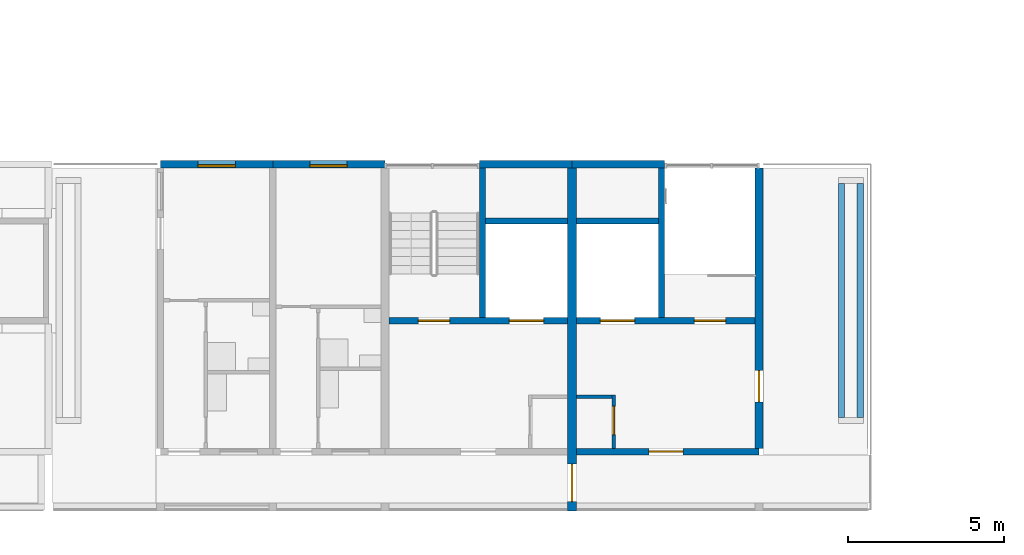
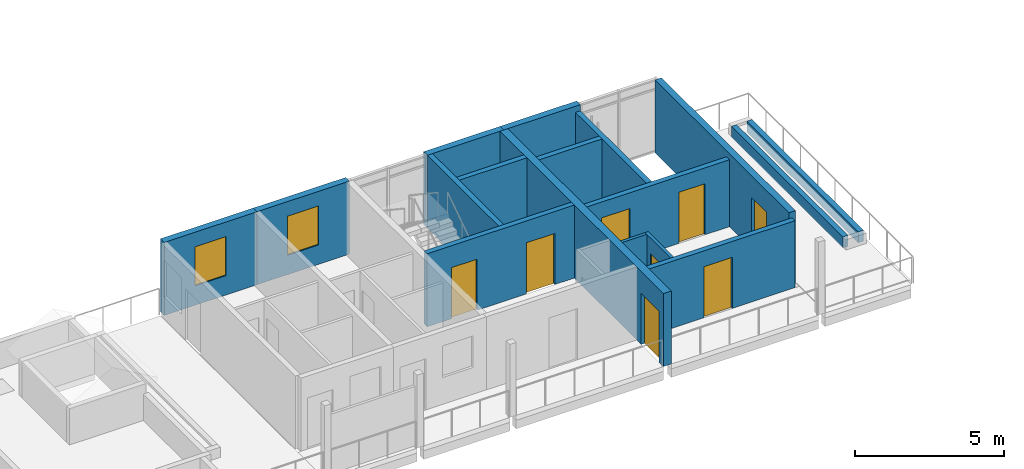
# One storey, part 21 of 41: 17 walls, 8 doors, 2 windows, 10 openings.
"""IFC4 building model written with IfcOpenShell, lengths in metres."""

from ifc_helpers import new_model, si_unit, direction, frame, frame_2d, origin, place, context, subcontext, project, spatial, rectangle, extrude, material, layer, layer_set, type_object, element, fill, save


model = new_model("IFC4")

# Units and contexts
model_context = context("Model", 3, precision=1e-05, world=origin(), true_north=direction((0.0, 1.0)))
body_context = subcontext(model_context, "Body", "Model", "MODEL_VIEW")
ifc_project = project(units=[si_unit("LENGTHUNIT", "METRE"), si_unit("AREAUNIT", "SQUARE_METRE"), si_unit("VOLUMEUNIT", "CUBIC_METRE"), si_unit("PLANEANGLEUNIT", "RADIAN"), si_unit("MASSUNIT", "GRAM", prefix="KILO")], contexts=[model_context])

# Site, building, storey
site_placement = place(None, origin())
site = spatial("IfcSite", under=ifc_project, at=site_placement, CompositionType="ELEMENT")
building_placement = place(site_placement, origin())
building = spatial("IfcBuilding", under=site, at=building_placement, Name="Ridgestep Commons", CompositionType="ELEMENT")
storey_placement = place(building_placement, frame((0.0, 0.0, 39.0)))
storey = spatial("IfcBuildingStorey", under=building, at=storey_placement, Name="L13", CompositionType="ELEMENT", Elevation=39.0)

# Wall, opening, door
ifc_material_1 = material(Name="Concrete C30/37", Category="concrete")
ifc_layer_1 = layer(ifc_material_1, 0.199951171875)
ifc_layer_set_1 = layer_set([ifc_layer_1], Name="Core south wall 200")
wall_type_1 = type_object("IfcWallType", Name="Core south wall 200", PredefinedType="SHEAR", material=ifc_layer_set_1)
wall_1_placement = place(storey_placement, frame((96.14990234375, 13.64990234375, 0.0), z_axis=(0.0, 0.0, 1.0), x_axis=(1.0, 0.0, 0.0)))
wall_1 = element("IfcWall", 1, at=wall_1_placement, inside=storey, type_object=wall_type_1, Name="Core south wall A6C L13", PredefinedType="SHEAR", context=body_context, shape_type="SweptSolid", body=[
    extrude(rectangle(XDim=5.85009765625, YDim=0.199951171875, at=frame_2d((2.925048828125, 0.0))), origin(), (0.0, 0.0, 1.0), 2.75),
])
opening_1_placement = place(wall_1_placement, frame((2.3125, 0.0, 0.0)))
opening_1 = element("IfcOpeningElement", 2, at=opening_1_placement, cuts=wall_1, Name="Opening A6C/13/1", PredefinedType="OPENING", context=body_context, shape_type="SweptSolid", body=[
    extrude(rectangle(XDim=1.10009765625, YDim=2.10009765625, at=frame_2d((0.550048828125, 1.050048828125))), frame((0.0, 0.10986328125, 0.0), z_axis=(0.0, -1.0, 0.0), x_axis=(1.0, 0.0, 0.0)), (0.0, 0.0, 1.0), 0.219970703125),
])
ifc_material_2 = material(Name="Steel fire door", Category="steel")
door_type_1 = type_object("IfcDoorType", Name="Lobby door 1100 x 2100 FD60", OperationType="NOTDEFINED", PredefinedType="DOOR", material=ifc_material_2)
door_1_placement = place(opening_1_placement, origin())
door_1 = element("IfcDoor", 3, at=door_1_placement, inside=storey, type_object=door_type_1, Name="Lobby door A6C/13/1", OperationType="SINGLE_SWING_LEFT", OverallHeight=2.10009765625, OverallWidth=1.10009765625, PredefinedType="DOOR", context=body_context, shape_type="SweptSolid", body=[
    extrude(rectangle(XDim=1.10009765625, YDim=2.10009765625, at=frame_2d((0.550048828125, 1.050048828125))), frame((0.0, 0.02490234375, 0.0), z_axis=(0.0, -1.0, 0.0), x_axis=(1.0, 0.0, 0.0)), (0.0, 0.0, 1.0), 0.050048828125),
])
fill(opening_1, door_1)

ifc_material_3 = material(Name="Concrete C30/37", Category="concrete")
ifc_layer_2 = layer(ifc_material_3, 0.1201171875)
ifc_layer_set_2 = layer_set([ifc_layer_2], Name="Core wall 120")
wall_type_2 = type_object("IfcWallType", Name="Core wall 120", PredefinedType="SHEAR", material=ifc_layer_set_2)
wall_2_placement = place(storey_placement, frame((97.340087890625, 13.75, 0.0), z_axis=(0.0, 0.0, 1.0), x_axis=(0.0, 1.0, 0.0)))
wall_2 = element("IfcWall", 4, at=wall_2_placement, inside=storey, type_object=wall_type_2, Name="Core riser w wall A6C L13", PredefinedType="SHEAR", context=body_context, shape_type="SweptSolid", body=[
    extrude(rectangle(XDim=1.719970703125, YDim=0.1201171875, at=frame_2d((0.85986328125, 0.0))), origin(), (0.0, 0.0, 1.0), 2.75),
])
opening_2_placement = place(wall_2_placement, frame((0.449951171875, 0.0, 0.0)))
opening_2 = element("IfcOpeningElement", 5, at=opening_2_placement, cuts=wall_2, Name="Opening A6C/13/4", PredefinedType="OPENING", context=body_context, shape_type="SweptSolid", body=[
    extrude(rectangle(XDim=0.89990234375, YDim=2.10009765625, at=frame_2d((0.449951171875, 1.050048828125))), frame((0.0, 0.070068359375, 0.0), z_axis=(0.0, -1.0, 0.0), x_axis=(1.0, 0.0, 0.0)), (0.0, 0.0, 1.0), 0.14013671875),
])
ifc_material_4 = material(Name="Steel fire door", Category="steel")
door_type_2 = type_object("IfcDoorType", Name="Riser door 900 x 2100 FD60", OperationType="NOTDEFINED", PredefinedType="DOOR", material=ifc_material_4)
door_2_placement = place(opening_2_placement, origin())
door_2 = element("IfcDoor", 6, at=door_2_placement, inside=storey, type_object=door_type_2, Name="Riser door A6C/13/4", OperationType="SINGLE_SWING_RIGHT", OverallHeight=2.10009765625, OverallWidth=0.89990234375, PredefinedType="DOOR", context=body_context, shape_type="SweptSolid", body=[
    extrude(rectangle(XDim=0.89990234375, YDim=2.10009765625, at=frame_2d((0.449951171875, 1.050048828125))), frame((0.0, 0.02490234375, 0.0), z_axis=(0.0, -1.0, 0.0), x_axis=(1.0, 0.0, 0.0)), (0.0, 0.0, 1.0), 0.050048828125),
])
fill(opening_2, door_2)

# Wall
wall_3_placement = place(storey_placement, frame((96.14990234375, 15.409912109375, 0.0), z_axis=(0.0, 0.0, 1.0), x_axis=(1.0, 0.0, 0.0)))
element("IfcWall", 7, at=wall_3_placement, inside=storey, type_object=wall_type_2, Name="Core riser n wall A6C L13", PredefinedType="SHEAR", context=body_context, shape_type="SweptSolid", body=[
    extrude(rectangle(XDim=1.130126953125, YDim=0.1201171875, at=frame_2d((0.56494140625, 0.0))), origin(), (0.0, 0.0, 1.0), 2.75),
])

# Wall, openings, doors
ifc_material_5 = material(Name="Concrete C30/37", Category="concrete")
ifc_layer_3 = layer(ifc_material_5, 0.199951171875)
ifc_layer_set_3 = layer_set([ifc_layer_3], Name="Core wall 200")
wall_type_3 = type_object("IfcWallType", Name="Core wall 200", PredefinedType="SHEAR", material=ifc_layer_set_3)
wall_4_placement = place(storey_placement, frame((90.125, 17.85009765625, 0.0), z_axis=(0.0, 0.0, 1.0), x_axis=(1.0, 0.0, 0.0)))
wall_4 = element("IfcWall", 8, at=wall_4_placement, inside=storey, type_object=wall_type_3, Name="Core lobby wall A5C L13", PredefinedType="SHEAR", context=body_context, shape_type="SweptSolid", body=[
    extrude(rectangle(XDim=5.72509765625, YDim=0.199951171875, at=frame_2d((2.862548828125, 0.0))), origin(), (0.0, 0.0, 1.0), 3.0),
])
opening_3_placement = place(wall_4_placement, frame((0.949951171875, 0.0, 0.0)))
opening_3 = element("IfcOpeningElement", 9, at=opening_3_placement, cuts=wall_4, Name="Opening A5C/13/2", PredefinedType="OPENING", context=body_context, shape_type="SweptSolid", body=[
    extrude(rectangle(XDim=1.0, YDim=2.10009765625, at=frame_2d((0.5, 1.050048828125))), frame((0.0, 0.10986328125, 0.0), z_axis=(0.0, -1.0, 0.0), x_axis=(1.0, 0.0, 0.0)), (0.0, 0.0, 1.0), 0.219970703125),
])
opening_4_placement = place(wall_4_placement, frame((3.862548828125, 0.0, 0.0)))
opening_4 = element("IfcOpeningElement", 10, at=opening_4_placement, cuts=wall_4, Name="Opening A5C/13/3", PredefinedType="OPENING", context=body_context, shape_type="SweptSolid", body=[
    extrude(rectangle(XDim=1.10009765625, YDim=2.10009765625, at=frame_2d((0.550048828125, 1.050048828125))), frame((0.0, 0.10986328125, 0.0), z_axis=(0.0, -1.0, 0.0), x_axis=(1.0, 0.0, 0.0)), (0.0, 0.0, 1.0), 0.219970703125),
])
ifc_material_6 = material(Name="Stainless steel", Category="steel")
door_type_3 = type_object("IfcDoorType", Name="Lift landing door 1100 x 2100 FD60", OperationType="DOUBLE_DOOR_SLIDING", PredefinedType="DOOR", material=ifc_material_6)
door_3_placement = place(opening_4_placement, origin())
door_3 = element("IfcDoor", 11, at=door_3_placement, inside=storey, type_object=door_type_3, Name="Landing door LD A5C L13", OperationType="DOUBLE_DOOR_SLIDING", OverallHeight=2.10009765625, OverallWidth=1.10009765625, PredefinedType="DOOR", context=body_context, shape_type="SweptSolid", body=[
    extrude(rectangle(XDim=1.10009765625, YDim=2.10009765625, at=frame_2d((0.550048828125, 1.050048828125))), frame((0.0, 0.02490234375, 0.0), z_axis=(0.0, -1.0, 0.0), x_axis=(1.0, 0.0, 0.0)), (0.0, 0.0, 1.0), 0.050048828125),
])
fill(opening_4, door_3)
ifc_material_7 = material(Name="Steel fire door", Category="steel")
door_type_4 = type_object("IfcDoorType", Name="Stair door 1000 x 2100 FD60", OperationType="NOTDEFINED", PredefinedType="DOOR", material=ifc_material_7)
door_4_placement = place(opening_3_placement, origin())
door_4 = element("IfcDoor", 12, at=door_4_placement, inside=storey, type_object=door_type_4, Name="Stair door A5C/13/2", OperationType="SINGLE_SWING_RIGHT", OverallHeight=2.10009765625, OverallWidth=1.0, PredefinedType="DOOR", context=body_context, shape_type="SweptSolid", body=[
    extrude(rectangle(XDim=1.0, YDim=2.10009765625, at=frame_2d((0.5, 1.050048828125))), frame((0.0, 0.02490234375, 0.0), z_axis=(0.0, -1.0, 0.0), x_axis=(1.0, 0.0, 0.0)), (0.0, 0.0, 1.0), 0.050048828125),
])
fill(opening_3, door_4)

# Walls
wall_5_placement = place(storey_placement, frame((93.125, 17.949951171875, 0.0), z_axis=(0.0, 0.0, 1.0), x_axis=(0.0, 1.0, 0.0)))
element("IfcWall", 13, at=wall_5_placement, inside=storey, type_object=wall_type_3, Name="Core stair wall A5C L13", PredefinedType="SHEAR", context=body_context, shape_type="SweptSolid", body=[
    extrude(rectangle(XDim=4.800048828125, YDim=0.199951171875, at=frame_2d((2.39990234375, 0.0))), origin(), (0.0, 0.0, 1.0), 3.0),
])
wall_6_placement = place(storey_placement, frame((93.22509765625, 21.050048828125, 0.0), z_axis=(0.0, 0.0, 1.0), x_axis=(1.0, 0.0, 0.0)))
element("IfcWall", 14, at=wall_6_placement, inside=storey, type_object=wall_type_3, Name="Core duct wall A5C L13", PredefinedType="SHEAR", context=body_context, shape_type="SweptSolid", body=[
    extrude(rectangle(XDim=2.625, YDim=0.199951171875, at=frame_2d((1.3125, 0.0))), origin(), (0.0, 0.0, 1.0), 3.0),
])

# Wall, openings, doors
wall_7_placement = place(storey_placement, frame((96.14990234375, 17.85009765625, 0.0), z_axis=(0.0, 0.0, 1.0), x_axis=(1.0, 0.0, 0.0)))
wall_7 = element("IfcWall", 15, at=wall_7_placement, inside=storey, type_object=wall_type_3, Name="Core lobby wall A6C L13", PredefinedType="SHEAR", context=body_context, shape_type="SweptSolid", body=[
    extrude(rectangle(XDim=5.72509765625, YDim=0.199951171875, at=frame_2d((2.862548828125, 0.0))), origin(), (0.0, 0.0, 1.0), 2.75),
])
opening_5_placement = place(wall_7_placement, frame((3.77490234375, 0.0, 0.0)))
opening_5 = element("IfcOpeningElement", 16, at=opening_5_placement, cuts=wall_7, Name="Opening A6C/13/2", PredefinedType="OPENING", context=body_context, shape_type="SweptSolid", body=[
    extrude(rectangle(XDim=1.0, YDim=2.10009765625, at=frame_2d((0.5, 1.050048828125))), frame((0.0, 0.10986328125, 0.0), z_axis=(0.0, -1.0, 0.0), x_axis=(1.0, 0.0, 0.0)), (0.0, 0.0, 1.0), 0.219970703125),
])
opening_6_placement = place(wall_7_placement, frame((0.762451171875, 0.0, 0.0)))
opening_6 = element("IfcOpeningElement", 17, at=opening_6_placement, cuts=wall_7, Name="Opening A6C/13/3", PredefinedType="OPENING", context=body_context, shape_type="SweptSolid", body=[
    extrude(rectangle(XDim=1.10009765625, YDim=2.10009765625, at=frame_2d((0.550048828125, 1.050048828125))), frame((0.0, 0.10986328125, 0.0), z_axis=(0.0, -1.0, 0.0), x_axis=(1.0, 0.0, 0.0)), (0.0, 0.0, 1.0), 0.219970703125),
])
door_5_placement = place(opening_6_placement, origin())
door_5 = element("IfcDoor", 18, at=door_5_placement, inside=storey, type_object=door_type_3, Name="Landing door LD A6C L13", OperationType="DOUBLE_DOOR_SLIDING", OverallHeight=2.10009765625, OverallWidth=1.10009765625, PredefinedType="DOOR", context=body_context, shape_type="SweptSolid", body=[
    extrude(rectangle(XDim=1.10009765625, YDim=2.10009765625, at=frame_2d((0.550048828125, 1.050048828125))), frame((0.0, 0.02490234375, 0.0), z_axis=(0.0, -1.0, 0.0), x_axis=(1.0, 0.0, 0.0)), (0.0, 0.0, 1.0), 0.050048828125),
])
fill(opening_6, door_5)
door_6_placement = place(opening_5_placement, origin())
door_6 = element("IfcDoor", 19, at=door_6_placement, inside=storey, type_object=door_type_4, Name="Stair door A6C/13/2", OperationType="SINGLE_SWING_RIGHT", OverallHeight=2.10009765625, OverallWidth=1.0, PredefinedType="DOOR", context=body_context, shape_type="SweptSolid", body=[
    extrude(rectangle(XDim=1.0, YDim=2.10009765625, at=frame_2d((0.5, 1.050048828125))), frame((0.0, 0.02490234375, 0.0), z_axis=(0.0, -1.0, 0.0), x_axis=(1.0, 0.0, 0.0)), (0.0, 0.0, 1.0), 0.050048828125),
])
fill(opening_5, door_6)

# Walls
wall_8_placement = place(storey_placement, frame((98.875, 17.949951171875, 0.0), z_axis=(0.0, 0.0, 1.0), x_axis=(0.0, 1.0, 0.0)))
element("IfcWall", 20, at=wall_8_placement, inside=storey, type_object=wall_type_3, Name="Core stair wall A6C L13", PredefinedType="SHEAR", context=body_context, shape_type="SweptSolid", body=[
    extrude(rectangle(XDim=4.800048828125, YDim=0.199951171875, at=frame_2d((2.39990234375, 0.0))), origin(), (0.0, 0.0, 1.0), 2.75),
])
wall_9_placement = place(storey_placement, frame((96.14990234375, 21.050048828125, 0.0), z_axis=(0.0, 0.0, 1.0), x_axis=(1.0, 0.0, 0.0)))
element("IfcWall", 21, at=wall_9_placement, inside=storey, type_object=wall_type_3, Name="Core duct wall A6C L13", PredefinedType="SHEAR", context=body_context, shape_type="SweptSolid", body=[
    extrude(rectangle(XDim=2.625, YDim=0.199951171875, at=frame_2d((1.3125, 0.0))), origin(), (0.0, 0.0, 1.0), 2.75),
])

# Wall, opening, door
ifc_material_8 = material(Name="Precast concrete C40/50", Category="concrete")
ifc_layer_4 = layer(ifc_material_8, 0.300048828125)
ifc_layer_set_4 = layer_set([ifc_layer_4], Name="Division wall 300")
wall_type_4 = type_object("IfcWallType", Name="Division wall 300", PredefinedType="SHEAR", material=ifc_layer_set_4)
wall_10_placement = place(storey_placement, frame((96.0, 11.75, 0.0), z_axis=(0.0, 0.0, 1.0), x_axis=(0.0, 1.0, 0.0)))
wall_10 = element("IfcWall", 22, at=wall_10_placement, inside=storey, type_object=wall_type_4, Name="Cross wall A-13-0960", PredefinedType="SHEAR", context=body_context, shape_type="SweptSolid", body=[
    extrude(rectangle(XDim=11.0, YDim=0.300048828125, at=frame_2d((5.5, 0.0))), origin(), (0.0, 0.0, 1.0), 3.0),
])
opening_7_placement = place(wall_10_placement, frame((0.300048828125, 0.0, 0.0)))
opening_7 = element("IfcOpeningElement", 23, at=opening_7_placement, cuts=wall_10, Name="Opening A/13/G0960", PredefinedType="OPENING", context=body_context, shape_type="SweptSolid", body=[
    extrude(rectangle(XDim=1.199951171875, YDim=2.10009765625, at=frame_2d((0.60009765625, 1.050048828125))), frame((0.0, 0.159912109375, 0.0), z_axis=(0.0, -1.0, 0.0), x_axis=(1.0, 0.0, 0.0)), (0.0, 0.0, 1.0), 0.320068359375),
])
ifc_material_9 = material(Name="Steel fire door", Category="steel")
door_type_5 = type_object("IfcDoorType", Name="Division fire door 1200 x 2100 EI 240", OperationType="DOUBLE_DOOR_SINGLE_SWING", PredefinedType="DOOR", material=ifc_material_9)
door_7_placement = place(opening_7_placement, origin())
door_7 = element("IfcDoor", 24, at=door_7_placement, inside=storey, type_object=door_type_5, Name="Division fire door A/13/G0960", OperationType="DOUBLE_DOOR_SINGLE_SWING", OverallHeight=2.10009765625, OverallWidth=1.199951171875, PredefinedType="DOOR", context=body_context, shape_type="SweptSolid", body=[
    extrude(rectangle(XDim=1.199951171875, YDim=2.10009765625, at=frame_2d((0.60009765625, 1.050048828125))), frame((0.0, 0.02490234375, 0.0), z_axis=(0.0, -1.0, 0.0), x_axis=(1.0, 0.0, 0.0)), (0.0, 0.0, 1.0), 0.050048828125),
])
fill(opening_7, door_7)

ifc_material_10 = material(Name="Concrete C30/37", Category="concrete")
ifc_layer_5 = layer(ifc_material_10, 0.25)
ifc_layer_set_5 = layer_set([ifc_layer_5], Name="Exposed core cross wall 250")
wall_type_5 = type_object("IfcWallType", Name="Exposed core cross wall 250", PredefinedType="SHEAR", material=ifc_layer_set_5)
wall_11_placement = place(storey_placement, frame((102.0, 13.75, 0.0), z_axis=(0.0, 0.0, 1.0), x_axis=(0.0, 1.0, 0.0)))
wall_11 = element("IfcWall", 25, at=wall_11_placement, inside=storey, type_object=wall_type_5, Name="Cross wall A-13-1020", PredefinedType="SHEAR", context=body_context, shape_type="SweptSolid", body=[
    extrude(rectangle(XDim=9.0, YDim=0.25, at=frame_2d((4.5, 0.0))), origin(), (0.0, 0.0, 1.0), 3.0),
])
opening_8_placement = place(wall_11_placement, frame((1.5, 0.0, 0.0)))
opening_8 = element("IfcOpeningElement", 26, at=opening_8_placement, cuts=wall_11, Name="Opening A6C/13/T", PredefinedType="OPENING", context=body_context, shape_type="SweptSolid", body=[
    extrude(rectangle(XDim=1.0, YDim=2.10009765625, at=frame_2d((0.5, 1.050048828125))), frame((0.0, 0.135009765625, 0.0), z_axis=(0.0, -1.0, 0.0), x_axis=(1.0, 0.0, 0.0)), (0.0, 0.0, 1.0), 0.27001953125),
])
ifc_material_11 = material(Name="Aluminium and glass", Category="aluminium")
door_type_6 = type_object("IfcDoorType", Name="Terrace door 1000 x 2100 FD60", OperationType="NOTDEFINED", PredefinedType="DOOR", material=ifc_material_11)
door_8_placement = place(opening_8_placement, origin())
door_8 = element("IfcDoor", 27, at=door_8_placement, inside=storey, type_object=door_type_6, Name="Terrace door A6C/13/T", OperationType="SINGLE_SWING_RIGHT", OverallHeight=2.10009765625, OverallWidth=1.0, PredefinedType="DOOR", context=body_context, shape_type="SweptSolid", body=[
    extrude(rectangle(XDim=1.0, YDim=2.10009765625, at=frame_2d((0.5, 1.050048828125))), frame((0.0, 0.02490234375, 0.0), z_axis=(0.0, -1.0, 0.0), x_axis=(1.0, 0.0, 0.0)), (0.0, 0.0, 1.0), 0.050048828125),
])
fill(opening_8, door_8)

# Wall, opening, window
ifc_material_12 = material(Name="Precast concrete C40/50", Category="concrete")
ifc_layer_6 = layer(ifc_material_12, 0.25)
ifc_layer_set_6 = layer_set([ifc_layer_6], Name="North facade panel 250")
wall_type_6 = type_object("IfcWallType", Name="North facade panel 250", PredefinedType="SOLIDWALL", material=ifc_layer_set_6)
wall_12_placement = place(storey_placement, frame((82.800048828125, 22.875, 0.0), z_axis=(0.0, 0.0, 1.0), x_axis=(1.0, 0.0, 0.0)))
wall_12 = element("IfcWall", 28, at=wall_12_placement, inside=storey, type_object=wall_type_6, Name="North panel A5T2 L13", PredefinedType="SOLIDWALL", context=body_context, shape_type="SweptSolid", body=[
    extrude(rectangle(XDim=3.599853515625, YDim=0.25, at=frame_2d((1.7998046875, 0.0))), origin(), (0.0, 0.0, 1.0), 3.0),
])
opening_9_placement = place(wall_12_placement, frame((1.199951171875, 0.0, 0.800048828125)))
opening_9 = element("IfcOpeningElement", 29, at=opening_9_placement, cuts=wall_12, Name="Opening W11", PredefinedType="OPENING", context=body_context, shape_type="SweptSolid", body=[
    extrude(rectangle(XDim=1.199951171875, YDim=1.60009765625, at=frame_2d((0.60009765625, 0.800048828125))), frame((0.0, 0.135009765625, 0.0), z_axis=(0.0, -1.0, 0.0), x_axis=(1.0, 0.0, 0.0)), (0.0, 0.0, 1.0), 0.27001953125),
])
ifc_material_13 = material(Name="Aluminium 6063-T6 and glass", Category="aluminium")
window_type = type_object("IfcWindowType", Name="Flat window 1200 x 1600", PartitioningType="SINGLE_PANEL", PredefinedType="WINDOW", material=ifc_material_13)
window_1_placement = place(opening_9_placement, origin())
window_1 = element("IfcWindow", 30, at=window_1_placement, inside=storey, type_object=window_type, Name="Window A5-13a 2", OverallHeight=1.60009765625, OverallWidth=1.199951171875, PartitioningType="SINGLE_PANEL", PredefinedType="WINDOW", context=body_context, shape_type="SweptSolid", body=[
    extrude(rectangle(XDim=1.199951171875, YDim=1.60009765625, at=frame_2d((0.60009765625, 0.800048828125))), frame((0.0, -0.02490234375, 0.0), z_axis=(0.0, -1.0, 0.0), x_axis=(1.0, 0.0, 0.0)), (0.0, 0.0, 1.0), 0.06005859375),
])
fill(opening_9, window_1)

wall_13_placement = place(storey_placement, frame((86.39990234375, 22.875, 0.0), z_axis=(0.0, 0.0, 1.0), x_axis=(1.0, 0.0, 0.0)))
wall_13 = element("IfcWall", 31, at=wall_13_placement, inside=storey, type_object=wall_type_6, Name="North panel A5T3 L13", PredefinedType="SOLIDWALL", context=body_context, shape_type="SweptSolid", body=[
    extrude(rectangle(XDim=3.60009765625, YDim=0.25, at=frame_2d((1.800048828125, 0.0))), origin(), (0.0, 0.0, 1.0), 3.0),
])
opening_10_placement = place(wall_13_placement, frame((1.1875, 0.0, 0.800048828125)))
opening_10 = element("IfcOpeningElement", 32, at=opening_10_placement, cuts=wall_13, Name="Opening W11", PredefinedType="OPENING", context=body_context, shape_type="SweptSolid", body=[
    extrude(rectangle(XDim=1.199951171875, YDim=1.60009765625, at=frame_2d((0.60009765625, 0.800048828125))), frame((0.0, 0.135009765625, 0.0), z_axis=(0.0, -1.0, 0.0), x_axis=(1.0, 0.0, 0.0)), (0.0, 0.0, 1.0), 0.27001953125),
])
window_2_placement = place(opening_10_placement, origin())
window_2 = element("IfcWindow", 33, at=window_2_placement, inside=storey, type_object=window_type, Name="Window A5-13b 2", OverallHeight=1.60009765625, OverallWidth=1.199951171875, PartitioningType="SINGLE_PANEL", PredefinedType="WINDOW", context=body_context, shape_type="SweptSolid", body=[
    extrude(rectangle(XDim=1.199951171875, YDim=1.60009765625, at=frame_2d((0.60009765625, 0.800048828125))), frame((0.0, -0.02490234375, 0.0), z_axis=(0.0, -1.0, 0.0), x_axis=(1.0, 0.0, 0.0)), (0.0, 0.0, 1.0), 0.06005859375),
])
fill(opening_10, window_2)

# Walls
for number, where, z_axis, x_axis, name in (
    (34, (93.02490234375, 22.875, 0.0), (0.0, 0.0, 1.0), (1.0, 0.0, 0.0), "North panel A5C L13"),
    (35, (96.0, 22.875, 0.0), (0.0, 0.0, 1.0), (1.0, 0.0, 0.0), "North panel A6C L13"),
):
    element("IfcWall", number, at=place(storey_placement, frame(where, z_axis=z_axis, x_axis=x_axis)), inside=storey, type_object=wall_type_6, Name=name, PredefinedType="SOLIDWALL", context=body_context, shape_type="SweptSolid", body=[
        extrude(rectangle(XDim=2.97509765625, YDim=0.25, at=frame_2d((1.487548828125, 0.0))), origin(), (0.0, 0.0, 1.0), 3.0),
    ])
ifc_material_14 = material(Name="Facing brick", Category="masonry")
ifc_layer_7 = layer(ifc_material_14, 0.199951171875)
ifc_layer_set_7 = layer_set([ifc_layer_7], Name="Planter wall 200")
wall_type_7 = type_object("IfcWallType", Name="Planter wall 200", PredefinedType="SOLIDWALL", material=ifc_layer_set_7)
for number, where, z_axis, x_axis, name in (
    (36, (104.64990234375, 14.75, 0.010009765625), (0.0, 0.0, 1.0), (0.0, 1.0, 0.0), "Planter wall A6R3W"),
    (37, (105.25, 14.75, 0.010009765625), (0.0, 0.0, 1.0), (0.0, 1.0, 0.0), "Planter wall A6R3E"),
):
    element("IfcWall", number, at=place(storey_placement, frame(where, z_axis=z_axis, x_axis=x_axis)), inside=storey, type_object=wall_type_7, Name=name, PredefinedType="SOLIDWALL", context=body_context, shape_type="SweptSolid", body=[
        extrude(rectangle(XDim=7.5, YDim=0.199951171875, at=frame_2d((3.75, 0.0))), origin(), (0.0, 0.0, 1.0), 0.449951171875),
    ])

save(model, "model.ifc")
